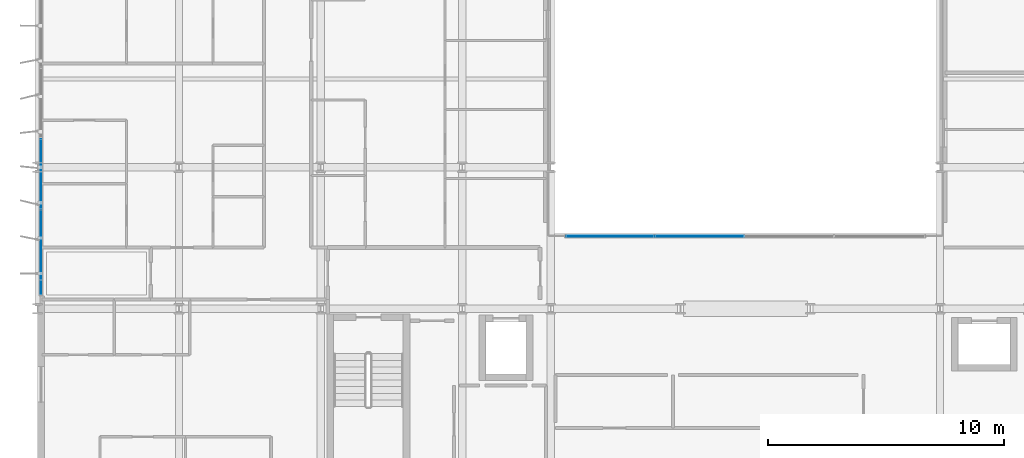
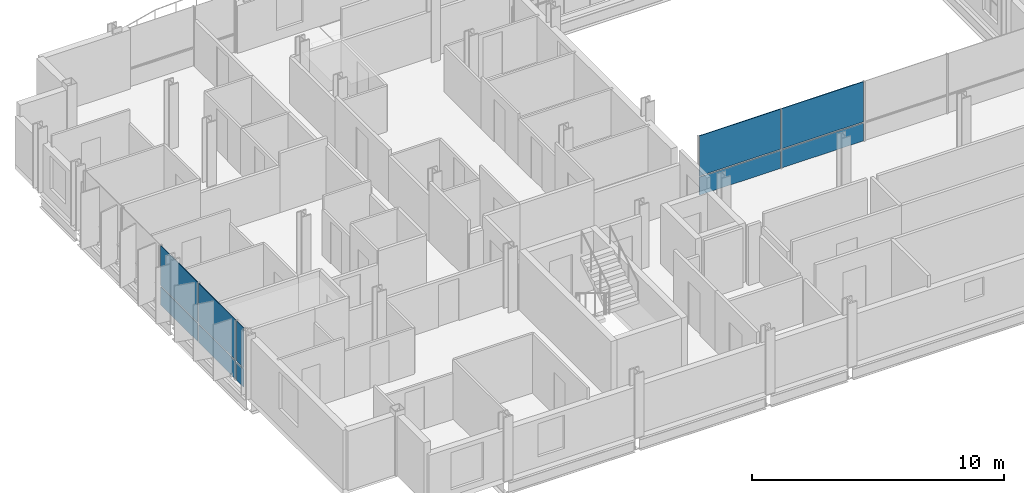
# One storey, part 22 of 38: 10 plates, 2 elements without a shape of their own.
"""IFC4 building model written with IfcOpenShell, lengths in metres."""

import ifcopenshell
import ifcopenshell.guid

model = None  # the IFC model being written
_history = None  # IfcOwnerHistory: only IFC2X3 demands one
_inside = {}  # id of a spatial element -> (the spatial element, [elements in it])
_under = {}  # id of a project, library or spatial element -> (it, [spatial elements below it])
_declared = {}  # id of a project -> (the project, [libraries it declares])
_typed = {}  # id of a type object -> (the type object, [elements of that type])
_made_of = {}  # id of a material, layer set ... -> (it, [elements and type objects made of it])


def new_model(schema):
    """Start an empty IFC model of exactly this schema.

    Asked for "IFC4X3", IfcOpenShell would pick the latest addendum, in which some entities
    have other attributes; the version numbers below select the first issue.
    IFC2X3 requires an IfcOwnerHistory on every rooted entity: one is made here for all.
    """
    global model, _history
    if schema == "IFC4X3":
        model = ifcopenshell.file(schema_version=(4, 3, 0, 0))
    else:
        model = ifcopenshell.file(schema=schema)
    _inside.clear()
    _under.clear()
    _declared.clear()
    _typed.clear()
    _made_of.clear()
    _history = None
    if model.schema == "IFC2X3":
        org = make("IfcOrganization", Name="unknown")
        user = make(
            "IfcPersonAndOrganization",
            ThePerson=make("IfcPerson", FamilyName="unknown"),
            TheOrganization=org,
        )
        app = make(
            "IfcApplication",
            ApplicationDeveloper=org,
            Version="unknown",
            ApplicationFullName="unknown",
            ApplicationIdentifier="unknown",
        )
        _history = make(
            "IfcOwnerHistory",
            OwningUser=user,
            OwningApplication=app,
            ChangeAction="ADDED",
            CreationDate=0,
        )
    return model


def make(cls, **values):
    """One entity of the class cls with the attributes given. An attribute that is None is left unset."""
    return model.create_entity(
        cls, **{name: value for name, value in values.items() if value is not None}
    )


def rooted(cls, **values):
    """An entity with a GlobalId (a new one), such as an element, a storey or a relation."""
    return make(cls, GlobalId=ifcopenshell.guid.new(), OwnerHistory=_history, **values)


def si_unit(unit_type, name, prefix=None):
    """IfcSIUnit, for example si_unit("LENGTHUNIT", "METRE", prefix="MILLI")."""
    return make("IfcSIUnit", UnitType=unit_type, Prefix=prefix, Name=name)


def assignment(units):
    """IfcUnitAssignment: the units of a project."""
    return None if units is None else make("IfcUnitAssignment", Units=units)


def point(xyz):
    """IfcCartesianPoint."""
    return None if xyz is None else make("IfcCartesianPoint", Coordinates=xyz)


def direction(xyz):
    """IfcDirection."""
    return None if xyz is None else make("IfcDirection", DirectionRatios=xyz)


def frame(location, z_axis=None, x_axis=None):
    """IfcAxis2Placement3D, a coordinate frame: its origin and axes. An axis left out is left unset."""
    return make(
        "IfcAxis2Placement3D",
        Location=point(location),
        Axis=direction(z_axis),
        RefDirection=direction(x_axis),
    )


def frame_2d(location, x_axis=None):
    """IfcAxis2Placement2D, a coordinate frame in the plane: its origin and x axis."""
    return make(
        "IfcAxis2Placement2D", Location=point(location), RefDirection=direction(x_axis)
    )


def origin():
    """The frame at (0, 0, 0) with its axes left unset."""
    return frame((0.0, 0.0, 0.0))


def origin_2d():
    """The frame at (0, 0) in the plane with its x axis left unset."""
    return frame_2d((0.0, 0.0))


def place(relative_to, where):
    """IfcLocalPlacement: puts the frame where relative to a parent placement (None: the world)."""
    return make(
        "IfcLocalPlacement", PlacementRelTo=relative_to, RelativePlacement=where
    )


def context(
    kind, dimensions, precision=None, world=None, true_north=None, identifier=None
):
    """IfcGeometricRepresentationContext, for example the 3D "Model" context."""
    return make(
        "IfcGeometricRepresentationContext",
        ContextIdentifier=identifier,
        ContextType=kind,
        CoordinateSpaceDimension=dimensions,
        Precision=precision,
        WorldCoordinateSystem=world,
        TrueNorth=true_north,
    )


def subcontext(parent, identifier, kind, view, scale=None):
    """IfcGeometricRepresentationSubContext, for example "Body" below "Model"."""
    return make(
        "IfcGeometricRepresentationSubContext",
        ContextIdentifier=identifier,
        ContextType=kind,
        ParentContext=parent,
        TargetScale=scale,
        TargetView=view,
    )


def project(units=None, contexts=None):
    """IfcProject with its units and contexts."""
    return rooted(
        "IfcProject",
        Name="project",
        RepresentationContexts=contexts,
        UnitsInContext=assignment(units),
    )


def spatial(cls, under=None, at=None, **own):
    """A site, building, storey or space (cls), placed at a placement, below another one or the project."""
    s = rooted(cls, ObjectPlacement=at, **own)
    if under is not None:
        _under.setdefault(under.id(), (under, []))[1].append(s)
    return s


def profile(cls, at=None, kind="AREA", **sizes):
    """A parametric profile (cls). Its sizes go by their IFC names, for example OverallWidth=200.0."""
    return make(cls, ProfileType=kind, Position=at, **sizes)


def rectangle(**sizes):
    """IfcRectangleProfileDef."""
    return profile("IfcRectangleProfileDef", **sizes)


def extrude(swept, where, along, depth):
    """IfcExtrudedAreaSolid: the profile swept, set in the frame where, extruded along a direction by depth."""
    return make(
        "IfcExtrudedAreaSolid",
        SweptArea=swept,
        Position=where,
        ExtrudedDirection=direction(along),
        Depth=depth,
    )


def shape(context_of_items, identifier, shape_type, items):
    """IfcShapeRepresentation: the items that make up one representation, for example the "Body"."""
    return make(
        "IfcShapeRepresentation",
        ContextOfItems=context_of_items,
        RepresentationIdentifier=identifier,
        RepresentationType=shape_type,
        Items=items,
    )


def material(Name=None, Category=None):
    """IfcMaterial."""
    return make("IfcMaterial", Name=Name, Category=Category)


def layer(
    of_material, thickness, ventilated=None, Name=None, Category=None, Priority=None
):
    """IfcMaterialLayer: one layer of a wall or slab, of a material (None: an air gap)."""
    return make(
        "IfcMaterialLayer",
        Material=of_material,
        LayerThickness=thickness,
        IsVentilated=ventilated,
        Name=Name,
        Category=Category,
        Priority=Priority,
    )


def layer_set(layers, Name=None):
    """IfcMaterialLayerSet."""
    return make("IfcMaterialLayerSet", MaterialLayers=layers, LayerSetName=Name)


def made_of(thing, what):
    """Note that an element or type object is made of a material, layer set ...; save() writes the relation."""
    if what is not None:
        _made_of.setdefault(what.id(), (what, []))[1].append(thing)
    return thing


def type_object(cls, material=None, **own):
    """A type object (cls), such as IfcWallType, which elements share."""
    return made_of(rooted(cls, **own), material)


def element(
    cls,
    number,
    at=None,
    inside=None,
    cuts=None,
    type_object=None,
    material=None,
    context=None,
    identifier="Body",
    shape_type=None,
    held_by="IfcProductDefinitionShape",
    body=None,
    shapes=None,
    **own,
):
    """One element of the class cls, such as IfcWall. Its Tag is "e" and its number.

    at: its placement. inside: the storey or other place that contains it. cuts: it is an
    opening in that element (IfcRelVoidsElement). A single representation is given by context,
    identifier, shape_type and body (its items); several are given by shapes. held_by: the class
    of the entity that holds the representations. save() writes the other relations.
    """
    e = rooted(cls, Tag="e%d" % number, ObjectPlacement=at, **own)
    if body is not None:
        shapes = [shape(context, identifier, shape_type, body)]
    if shapes is not None:
        e.Representation = make(held_by, Representations=shapes)
    if inside is not None:
        _inside.setdefault(inside.id(), (inside, []))[1].append(e)
    if cuts is not None:
        rooted(
            "IfcRelVoidsElement", RelatingBuildingElement=cuts, RelatedOpeningElement=e
        )
    if type_object is not None:
        _typed.setdefault(type_object.id(), (type_object, []))[1].append(e)
    return made_of(e, material)


def aggregate(whole, parts):
    """IfcRelAggregates: a whole, such as a stair, and the parts it consists of."""
    return rooted("IfcRelAggregates", RelatingObject=whole, RelatedObjects=parts)


def save(model, path):
    """Write the relations noted so far, then the file.

    IfcRelAggregates (storeys below a building ...), IfcRelContainedInSpatialStructure (elements
    in a storey), IfcRelDefinesByType, IfcRelAssociatesMaterial and IfcRelDeclares: one each for
    every whole, place, type object, material and project.
    """
    for whole, parts in _under.values():
        aggregate(whole, parts)
    for where, things in _inside.values():
        rooted(
            "IfcRelContainedInSpatialStructure",
            RelatedElements=things,
            RelatingStructure=where,
        )
    for kind, things in _typed.values():
        rooted("IfcRelDefinesByType", RelatedObjects=things, RelatingType=kind)
    for what, things in _made_of.values():
        rooted("IfcRelAssociatesMaterial", RelatedObjects=things, RelatingMaterial=what)
    for by, libraries in _declared.values():
        rooted("IfcRelDeclares", RelatingContext=by, RelatedDefinitions=libraries)
    model.write(path)


model = new_model("IFC4")

# Units and contexts
model_context = context("Model", 3, precision=1e-05, world=origin(), true_north=direction((0.0, 1.0)))
body_context = subcontext(model_context, "Body", "Model", "MODEL_VIEW")
ifc_project = project(units=[si_unit("LENGTHUNIT", "METRE"), si_unit("AREAUNIT", "SQUARE_METRE"), si_unit("VOLUMEUNIT", "CUBIC_METRE"), si_unit("PLANEANGLEUNIT", "RADIAN"), si_unit("MASSUNIT", "GRAM", prefix="KILO")], contexts=[model_context])

# Site, building, storey
site_placement = place(None, origin())
site = spatial("IfcSite", under=ifc_project, at=site_placement, CompositionType="ELEMENT")
building_placement = place(site_placement, origin())
building = spatial("IfcBuilding", under=site, at=building_placement, Name="Brevholm Reach", CompositionType="ELEMENT")
storey_placement = place(building_placement, frame((0.0, 0.0, 65.199951171875)))
storey = spatial("IfcBuildingStorey", under=building, at=storey_placement, Name="L18", CompositionType="ELEMENT", Elevation=65.199951171875)

# Curtain wall, plates
ifc_material_1 = material(Name="Dark Anodised Aluminium 6063-T6 and Solar-Control Glass", Category="aluminium")
ifc_layer_1 = layer(ifc_material_1, 0.14990234375)
ifc_layer_set_1 = layer_set([ifc_layer_1], Name="Dark Anodised Aluminium 6063-T6 and Solar-Control Glass")
curtain_wall_type_1 = type_object("IfcCurtainWallType", Name="CW-01", PredefinedType="NOTDEFINED", material=ifc_layer_set_1)
curtain_wall_1_placement = place(storey_placement, origin())
curtain_wall_1 = element("IfcCurtainWall", 1, at=curtain_wall_1_placement, inside=storey, type_object=curtain_wall_type_1, Name="L18 Curtain Wall CW-01", PredefinedType="NOTDEFINED")
ifc_material_2 = material(Name="Dark Solar-Control Double-Glazed IGU Glass", Category="glass")
ifc_layer_2 = layer(ifc_material_2, 0.028076171875)
ifc_layer_set_2 = layer_set([ifc_layer_2], Name="Dark Solar-Control Double-Glazed IGU Glass")
plate_type_1 = type_object("IfcPlateType", Name="CWP-GLZ-28", PredefinedType="CURTAIN_PANEL", material=ifc_layer_set_2)
plate_1_placement = place(storey_placement, frame((0.14990234375, 15.719970703125, 0.0), z_axis=(0.0, 0.0, 1.0), x_axis=(0.0, -1.0, 0.0)))
plate_1 = element("IfcPlate", 2, at=plate_1_placement, type_object=plate_type_1, Name="CP-01 Glazing Panel 3.1", PredefinedType="CURTAIN_PANEL", context=body_context, shape_type="SweptSolid", body=[
    extrude(rectangle(XDim=2.93505859375, YDim=0.028076171875, at=origin_2d()), origin(), (0.0, 0.0, 1.0), 0.867431640625),
])
plate_2_placement = place(storey_placement, frame((0.14990234375, 15.719970703125, 0.9326171875), z_axis=(0.0, 0.0, 1.0), x_axis=(0.0, -1.0, 0.0)))
plate_2 = element("IfcPlate", 3, at=plate_2_placement, type_object=plate_type_1, Name="CP-01 Glazing Panel 3.2", PredefinedType="CURTAIN_PANEL", context=body_context, shape_type="SweptSolid", body=[
    extrude(rectangle(XDim=2.93505859375, YDim=0.028076171875, at=origin_2d()), origin(), (0.0, 0.0, 1.0), 1.9375),
])
plate_3_placement = place(storey_placement, frame((0.14990234375, 12.719970703125, 0.0), z_axis=(0.0, 0.0, 1.0), x_axis=(0.0, -1.0, 0.0)))
plate_3 = element("IfcPlate", 4, at=plate_3_placement, type_object=plate_type_1, Name="CP-01 Glazing Panel 4.1", PredefinedType="CURTAIN_PANEL", context=body_context, shape_type="SweptSolid", body=[
    extrude(rectangle(XDim=2.93505859375, YDim=0.028076171875, at=origin_2d()), origin(), (0.0, 0.0, 1.0), 0.867431640625),
])
plate_4_placement = place(storey_placement, frame((0.14990234375, 12.719970703125, 0.9326171875), z_axis=(0.0, 0.0, 1.0), x_axis=(0.0, -1.0, 0.0)))
plate_4 = element("IfcPlate", 5, at=plate_4_placement, type_object=plate_type_1, Name="CP-01 Glazing Panel 4.2", PredefinedType="CURTAIN_PANEL", context=body_context, shape_type="SweptSolid", body=[
    extrude(rectangle(XDim=2.93505859375, YDim=0.028076171875, at=origin_2d()), origin(), (0.0, 0.0, 1.0), 1.9375),
])
plate_5_placement = place(storey_placement, frame((0.14990234375, 10.9013671875, 0.0), z_axis=(0.0, 0.0, 1.0), x_axis=(0.0, -1.0, 0.0)))
plate_5 = element("IfcPlate", 6, at=plate_5_placement, type_object=plate_type_1, Name="CP-01 Glazing Panel 5.1", PredefinedType="CURTAIN_PANEL", context=body_context, shape_type="SweptSolid", body=[
    extrude(rectangle(XDim=0.572509765625, YDim=0.028076171875, at=origin_2d()), origin(), (0.0, 0.0, 1.0), 0.867431640625),
])
plate_6_placement = place(storey_placement, frame((0.14990234375, 10.9013671875, 0.9326171875), z_axis=(0.0, 0.0, 1.0), x_axis=(0.0, -1.0, 0.0)))
plate_6 = element("IfcPlate", 7, at=plate_6_placement, type_object=plate_type_1, Name="CP-01 Glazing Panel 5.2", PredefinedType="CURTAIN_PANEL", context=body_context, shape_type="SweptSolid", body=[
    extrude(rectangle(XDim=0.572509765625, YDim=0.028076171875, at=origin_2d()), origin(), (0.0, 0.0, 1.0), 1.9375),
])
aggregate(curtain_wall_1, [plate_1, plate_2, plate_3, plate_4, plate_5, plate_6])

ifc_material_3 = material(Name="Dark Anodised Aluminium 6063-T6 and Solar-Control Glass", Category="aluminium")
ifc_layer_3 = layer(ifc_material_3, 0.139892578125)
ifc_layer_set_3 = layer_set([ifc_layer_3], Name="Dark Anodised Aluminium 6063-T6 and Solar-Control Glass")
curtain_wall_type_2 = type_object("IfcCurtainWallType", Name="CW-02", PredefinedType="NOTDEFINED", material=ifc_layer_set_3)
curtain_wall_2_placement = place(storey_placement, origin())
curtain_wall_2 = element("IfcCurtainWall", 8, at=curtain_wall_2_placement, inside=storey, type_object=curtain_wall_type_2, Name="L18 Curtain Wall CW-02", PredefinedType="NOTDEFINED")
ifc_material_4 = material(Name="Low-Iron Laminated Acoustic Glass", Category="glass")
ifc_layer_4 = layer(ifc_material_4, 0.035888671875)
ifc_layer_set_4 = layer_set([ifc_layer_4], Name="Low-Iron Laminated Acoustic Glass")
plate_type_2 = type_object("IfcPlateType", Name="CWP-GLZ-36", PredefinedType="CURTAIN_PANEL", material=ifc_layer_set_4)
plate_7_placement = place(storey_placement, frame((24.264892578125, 13.080078125, 0.0), z_axis=(0.0, 0.0, 1.0), x_axis=(1.0, 0.0, 0.0)))
plate_7 = element("IfcPlate", 9, at=plate_7_placement, type_object=plate_type_2, Name="CP-02 Glazing Panel 1.1", PredefinedType="CURTAIN_PANEL", context=body_context, shape_type="SweptSolid", body=[
    extrude(rectangle(XDim=3.7099609375, YDim=0.035888671875, at=origin_2d()), origin(), (0.0, 0.0, 1.0), 0.8701171875),
])
plate_8_placement = place(storey_placement, frame((24.264892578125, 13.080078125, 0.93017578125), z_axis=(0.0, 0.0, 1.0), x_axis=(1.0, 0.0, 0.0)))
plate_8 = element("IfcPlate", 10, at=plate_8_placement, type_object=plate_type_2, Name="CP-02 Glazing Panel 1.2", PredefinedType="CURTAIN_PANEL", context=body_context, shape_type="SweptSolid", body=[
    extrude(rectangle(XDim=3.7099609375, YDim=0.035888671875, at=origin_2d()), origin(), (0.0, 0.0, 1.0), 1.93994140625),
])
plate_9_placement = place(storey_placement, frame((28.050048828125, 13.080078125, 0.0), z_axis=(0.0, 0.0, 1.0), x_axis=(1.0, 0.0, 0.0)))
plate_9 = element("IfcPlate", 11, at=plate_9_placement, type_object=plate_type_2, Name="CP-02 Glazing Panel 2.1", PredefinedType="CURTAIN_PANEL", context=body_context, shape_type="SweptSolid", body=[
    extrude(rectangle(XDim=3.739990234375, YDim=0.035888671875, at=origin_2d()), origin(), (0.0, 0.0, 1.0), 0.8701171875),
])
plate_10_placement = place(storey_placement, frame((28.050048828125, 13.080078125, 0.93017578125), z_axis=(0.0, 0.0, 1.0), x_axis=(1.0, 0.0, 0.0)))
plate_10 = element("IfcPlate", 12, at=plate_10_placement, type_object=plate_type_2, Name="CP-02 Glazing Panel 2.2", PredefinedType="CURTAIN_PANEL", context=body_context, shape_type="SweptSolid", body=[
    extrude(rectangle(XDim=3.739990234375, YDim=0.035888671875, at=origin_2d()), origin(), (0.0, 0.0, 1.0), 1.93994140625),
])
aggregate(curtain_wall_2, [plate_7, plate_8, plate_9, plate_10])

save(model, "model.ifc")
